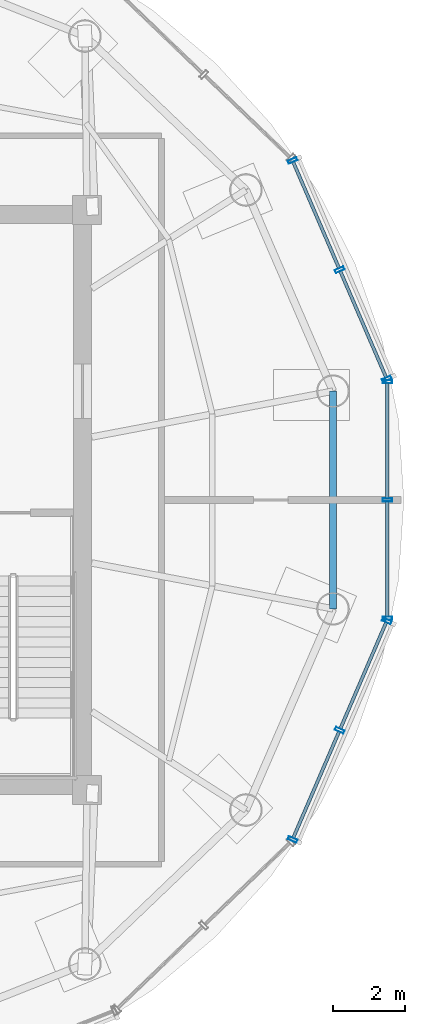
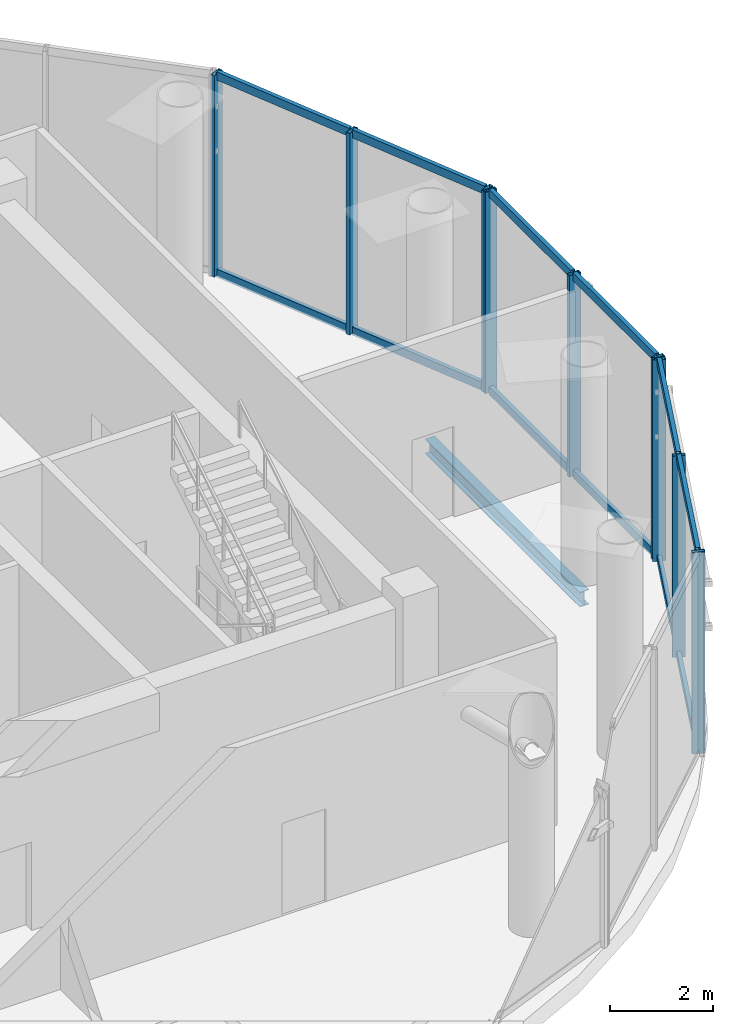
# One storey, part 9 of 15: 21 members, 1 beam, 3 elements without a shape of their own.
"""IFC4 building model written with IfcOpenShell, lengths in metres."""

from ifc_helpers import new_model, si_unit, direction, frame, origin, origin_2d, place, context, subcontext, project, spatial, hollow_rectangle, i_section, extrude, source, transform, mapped, material, material_profile, profile_set, type_object, element, aggregate, save


model = new_model("IFC4")

# Units and contexts
model_context = context("Model", 3, precision=1e-05, world=origin(), true_north=direction((-0.2419218956, 0.970295726276)))
body_context = subcontext(model_context, "Body", "Model", "MODEL_VIEW")
ifc_project = project(units=[si_unit("LENGTHUNIT", "METRE"), si_unit("AREAUNIT", "SQUARE_METRE"), si_unit("VOLUMEUNIT", "CUBIC_METRE"), si_unit("PLANEANGLEUNIT", "RADIAN"), si_unit("MASSUNIT", "GRAM", prefix="KILO")], contexts=[model_context])

# Site, building, storey
site_placement = place(None, origin())
site = spatial("IfcSite", under=ifc_project, at=site_placement, CompositionType="ELEMENT")
building_placement = place(site_placement, origin())
building = spatial("IfcBuilding", under=site, at=building_placement, Name="Cobrevalo Terracotta Tower", CompositionType="ELEMENT")
storey_placement = place(building_placement, frame((0.0, 0.0, 316.5)))
storey = spatial("IfcBuildingStorey", under=building, at=storey_placement, Name="L82", CompositionType="ELEMENT", Elevation=316.5)

# Beam
ifc_material_1 = material(Name="Steel S355", Category="steel")
ifc_material_profile_1 = material_profile(ifc_material_1, i_section(OverallWidth=0.205078125, OverallDepth=0.35400390625, WebThickness=0.009521484375, FlangeThickness=0.016845703125, at=origin_2d()), Name="W 360x79")
ifc_profile_set_1 = profile_set([ifc_material_profile_1], Name="Steel S355")
beam_type = type_object("IfcBeamType", Name="Structural Spandrel W 360x79 (Steel S355)", PredefinedType="SPANDREL", material=ifc_profile_set_1)
beam_placement = place(storey_placement, frame((53.79052734375, 23.795654296875, -0.596923828125), z_axis=(0.0, 1.0, 0.0), x_axis=(-1.0, 0.0, 0.0)))
element("IfcBeam", 1, at=beam_placement, inside=storey, type_object=beam_type, Name="L82 perimeter ring spandrel 16", PredefinedType="SPANDREL", context=body_context, shape_type="SweptSolid", body=[
    extrude(i_section(OverallWidth=0.205078125, OverallDepth=0.35400390625, WebThickness=0.009521484375, FlangeThickness=0.016845703125, at=origin_2d()), origin(), (0.0, 0.0, 1.0), 6.0087890625),
])

# Curtain wall, members
ifc_material_2 = material(Name="Anodized aluminium", Category="aluminium")
curtain_wall_type = type_object("IfcCurtainWallType", Name="Faceted glass-point crown structural glazing system CW-CR", PredefinedType="NOTDEFINED", material=ifc_material_2)
curtain_wall_1_placement = place(storey_placement, origin())
curtain_wall_1 = element("IfcCurtainWall", 2, at=curtain_wall_1_placement, inside=storey, type_object=curtain_wall_type, Name="L82 curtain wall CW-CRN-L82-S01", PredefinedType="NOTDEFINED")
ifc_material_profile_2 = material_profile(ifc_material_2, hollow_rectangle(XDim=0.090087890625, YDim=0.195068359375, WallThickness=0.005615234375, at=origin_2d()), Name="CWT 90x195")
ifc_profile_set_2 = profile_set([ifc_material_profile_2], Name="Anodized aluminium")
member_type_1 = type_object("IfcMemberType", Name="Crown structural aluminium transom 90x195", PredefinedType="USERDEFINED", material=ifc_profile_set_2)
shared_shape_1 = source(origin(), body_context, "Body", "SweptSolid", [
    extrude(hollow_rectangle(XDim=0.090087890625, YDim=0.195068359375, WallThickness=0.005615234375, at=origin_2d()), origin(), (0.0, 0.0, 1.0), 3.203369140625),
])
member_1_placement = place(storey_placement, frame((55.259521484375, 30.17626953125, 0.050048828125), z_axis=(-0.396015512265, 0.918243820587, 0.0), x_axis=(-0.918243820587, -0.396015512265, 0.0)))
member_1 = element("IfcMember", 3, at=member_1_placement, type_object=member_type_1, Name="CW-CRN-L82-S01 transom B01-T1", ObjectType="TRANSOM", PredefinedType="USERDEFINED", context=body_context, shape_type="MappedRepresentation", body=[
    mapped(shared_shape_1, transform((0.0, 0.0, 0.0), scale=1.0)),
])
member_2_placement = place(storey_placement, frame((55.259521484375, 30.17626953125, 4.72998046875), z_axis=(-0.396015512265, 0.918243820587, 0.0), x_axis=(-0.918243820587, -0.396015512265, 0.0)))
member_2 = element("IfcMember", 4, at=member_2_placement, type_object=member_type_1, Name="CW-CRN-L82-S01 transom B01-T2", ObjectType="TRANSOM", PredefinedType="USERDEFINED", context=body_context, shape_type="MappedRepresentation", body=[
    mapped(shared_shape_1, transform((0.0, 0.0, 0.0), scale=1.0)),
])
shared_shape_2 = source(origin(), body_context, "Body", "SweptSolid", [
    extrude(hollow_rectangle(XDim=0.090087890625, YDim=0.195068359375, WallThickness=0.005615234375, at=origin_2d()), origin(), (0.0, 0.0, 1.0), 3.203125),
])
member_3_placement = place(storey_placement, frame((53.959228515625, 33.191162109375, 0.050048828125), z_axis=(-0.396107491553, 0.918204146765, 0.0), x_axis=(-0.918204146765, -0.396107491553, 0.0)))
member_3 = element("IfcMember", 5, at=member_3_placement, type_object=member_type_1, Name="CW-CRN-L82-S01 transom B02-T1", ObjectType="TRANSOM", PredefinedType="USERDEFINED", context=body_context, shape_type="MappedRepresentation", body=[
    mapped(shared_shape_2, transform((0.0, 0.0, 0.0), scale=1.0)),
])
member_4_placement = place(storey_placement, frame((53.959228515625, 33.191162109375, 4.72998046875), z_axis=(-0.396107491553, 0.918204146765, 0.0), x_axis=(-0.918204146765, -0.396107491553, 0.0)))
member_4 = element("IfcMember", 6, at=member_4_placement, type_object=member_type_1, Name="CW-CRN-L82-S01 transom B02-T2", ObjectType="TRANSOM", PredefinedType="USERDEFINED", context=body_context, shape_type="MappedRepresentation", body=[
    mapped(shared_shape_2, transform((0.0, 0.0, 0.0), scale=1.0)),
])

curtain_wall_2_placement = place(storey_placement, origin())
curtain_wall_2 = element("IfcCurtainWall", 7, at=curtain_wall_2_placement, inside=storey, type_object=curtain_wall_type, Name="L82 curtain wall CW-CRN-L82-S15", PredefinedType="NOTDEFINED")
member_5_placement = place(storey_placement, frame((52.6904296875, 17.4677734375, 0.050048828125), z_axis=(0.396107491553, 0.918204146765, 0.0), x_axis=(-0.918204146765, 0.396107491553, 0.0)))
member_5 = element("IfcMember", 8, at=member_5_placement, type_object=member_type_1, Name="CW-CRN-L82-S15 transom B01-T1", ObjectType="TRANSOM", PredefinedType="USERDEFINED", context=body_context, shape_type="MappedRepresentation", body=[
    mapped(shared_shape_2, transform((0.0, 0.0, 0.0), scale=1.0)),
])
member_6_placement = place(storey_placement, frame((52.6904296875, 17.4677734375, 4.72998046875), z_axis=(0.396107491553, 0.918204146765, 0.0), x_axis=(-0.918204146765, 0.396107491553, 0.0)))
member_6 = element("IfcMember", 9, at=member_6_placement, type_object=member_type_1, Name="CW-CRN-L82-S15 transom B01-T2", ObjectType="TRANSOM", PredefinedType="USERDEFINED", context=body_context, shape_type="MappedRepresentation", body=[
    mapped(shared_shape_2, transform((0.0, 0.0, 0.0), scale=1.0)),
])
member_7_placement = place(storey_placement, frame((53.990966796875, 20.482421875, 0.050048828125), z_axis=(0.396043228921, 0.918231866592, 0.0), x_axis=(-0.918231866592, 0.396043228921, 0.0)))
member_7 = element("IfcMember", 10, at=member_7_placement, type_object=member_type_1, Name="CW-CRN-L82-S15 transom B02-T1", ObjectType="TRANSOM", PredefinedType="USERDEFINED", context=body_context, shape_type="MappedRepresentation", body=[
    mapped(shared_shape_2, transform((0.0, 0.0, 0.0), scale=1.0)),
])
member_8_placement = place(storey_placement, frame((53.990966796875, 20.482421875, 4.72998046875), z_axis=(0.396043228921, 0.918231866592, 0.0), x_axis=(-0.918231866592, 0.396043228921, 0.0)))
member_8 = element("IfcMember", 11, at=member_8_placement, type_object=member_type_1, Name="CW-CRN-L82-S15 transom B02-T2", ObjectType="TRANSOM", PredefinedType="USERDEFINED", context=body_context, shape_type="MappedRepresentation", body=[
    mapped(shared_shape_2, transform((0.0, 0.0, 0.0), scale=1.0)),
])

curtain_wall_3_placement = place(storey_placement, origin())
curtain_wall_3 = element("IfcCurtainWall", 12, at=curtain_wall_3_placement, inside=storey, type_object=curtain_wall_type, Name="L82 curtain wall CW-CRN-L82-S16", PredefinedType="NOTDEFINED")
shared_shape_3 = source(origin(), body_context, "Body", "SweptSolid", [
    extrude(hollow_rectangle(XDim=0.090087890625, YDim=0.195068359375, WallThickness=0.005615234375, at=origin_2d()), origin(), (0.0, 0.0, 1.0), 3.182861328125),
])
member_9_placement = place(storey_placement, frame((55.291259765625, 23.5771484375, 0.050048828125), z_axis=(0.0, 1.0, 0.0), x_axis=(-1.0, 0.0, 0.0)))
member_9 = element("IfcMember", 13, at=member_9_placement, type_object=member_type_1, Name="CW-CRN-L82-S16 transom B01-T1", ObjectType="TRANSOM", PredefinedType="USERDEFINED", context=body_context, shape_type="MappedRepresentation", body=[
    mapped(shared_shape_3, transform((0.0, 0.0, 0.0), scale=1.0)),
])
member_10_placement = place(storey_placement, frame((55.291259765625, 23.5771484375, 4.72998046875), z_axis=(0.0, 1.0, 0.0), x_axis=(-1.0, 0.0, 0.0)))
member_10 = element("IfcMember", 14, at=member_10_placement, type_object=member_type_1, Name="CW-CRN-L82-S16 transom B01-T2", ObjectType="TRANSOM", PredefinedType="USERDEFINED", context=body_context, shape_type="MappedRepresentation", body=[
    mapped(shared_shape_3, transform((0.0, 0.0, 0.0), scale=1.0)),
])
member_11_placement = place(storey_placement, frame((55.291259765625, 26.840087890625, 0.050048828125), z_axis=(0.0, 1.0, 0.0), x_axis=(-1.0, 0.0, 0.0)))
member_11 = element("IfcMember", 15, at=member_11_placement, type_object=member_type_1, Name="CW-CRN-L82-S16 transom B02-T1", ObjectType="TRANSOM", PredefinedType="USERDEFINED", context=body_context, shape_type="MappedRepresentation", body=[
    mapped(shared_shape_3, transform((0.0, 0.0, 0.0), scale=1.0)),
])
member_12_placement = place(storey_placement, frame((55.291259765625, 26.840087890625, 4.72998046875), z_axis=(0.0, 1.0, 0.0), x_axis=(-1.0, 0.0, 0.0)))
member_12 = element("IfcMember", 16, at=member_12_placement, type_object=member_type_1, Name="CW-CRN-L82-S16 transom B02-T2", ObjectType="TRANSOM", PredefinedType="USERDEFINED", context=body_context, shape_type="MappedRepresentation", body=[
    mapped(shared_shape_3, transform((0.0, 0.0, 0.0), scale=1.0)),
])

# Member
ifc_material_profile_3 = material_profile(ifc_material_2, hollow_rectangle(XDim=0.090087890625, YDim=0.260009765625, WallThickness=0.006103515625, at=origin_2d()), Name="CWM 90x260")
ifc_profile_set_3 = profile_set([ifc_material_profile_3], Name="Anodized aluminium")
member_type_2 = type_object("IfcMemberType", Name="Crown structural glass mullion 90x260", PredefinedType="MULLION", material=ifc_profile_set_3)
shared_shape_4 = source(origin(), body_context, "Body", "SweptSolid", [
    extrude(hollow_rectangle(XDim=0.090087890625, YDim=0.260009765625, WallThickness=0.006103515625, at=origin_2d()), origin(), (0.0, 0.0, 1.0), 4.780029296875),
])
member_13_placement = place(storey_placement, frame((55.275390625, 30.1396484375, 0.0), z_axis=(0.0, 0.0, 1.0), x_axis=(-0.396058398073, 0.918225323826, 0.0)))
member_13 = element("IfcMember", 17, at=member_13_placement, type_object=member_type_2, Name="CW-CRN-L82-S01 vertical mullion 01", PredefinedType="MULLION", context=body_context, shape_type="MappedRepresentation", body=[
    mapped(shared_shape_4, transform((0.0, 0.0, 0.0), scale=1.0)),
])

member_14_placement = place(storey_placement, frame((53.97509765625, 33.154296875, 0.0), z_axis=(0.0, 0.0, 1.0), x_axis=(-0.396058398073, 0.918225323826, 0.0)))
member_14 = element("IfcMember", 18, at=member_14_placement, type_object=member_type_2, Name="CW-CRN-L82-S01 vertical mullion 02", PredefinedType="MULLION", context=body_context, shape_type="MappedRepresentation", body=[
    mapped(shared_shape_4, transform((0.0, 0.0, 0.0), scale=1.0)),
])

member_15_placement = place(storey_placement, frame((52.674560546875, 36.169189453125, 0.0), z_axis=(0.0, 0.0, 1.0), x_axis=(-0.396058398073, 0.918225323826, 0.0)))
member_15 = element("IfcMember", 19, at=member_15_placement, type_object=member_type_2, Name="CW-CRN-L82-S01 vertical mullion 03", PredefinedType="MULLION", context=body_context, shape_type="MappedRepresentation", body=[
    mapped(shared_shape_4, transform((0.0, 0.0, 0.0), scale=1.0)),
])

aggregate(curtain_wall_1, [member_13, member_14, member_15, member_1, member_2, member_3, member_4])

member_16_placement = place(storey_placement, frame((52.674560546875, 17.430908203125, 0.0), z_axis=(0.0, 0.0, 1.0), x_axis=(0.396058398073, 0.918225323826, 0.0)))
member_16 = element("IfcMember", 20, at=member_16_placement, type_object=member_type_2, Name="CW-CRN-L82-S15 vertical mullion 01", PredefinedType="MULLION", context=body_context, shape_type="MappedRepresentation", body=[
    mapped(shared_shape_4, transform((0.0, 0.0, 0.0), scale=1.0)),
])

member_17_placement = place(storey_placement, frame((53.97509765625, 20.445556640625, 0.0), z_axis=(0.0, 0.0, 1.0), x_axis=(0.396058398073, 0.918225323826, 0.0)))
member_17 = element("IfcMember", 21, at=member_17_placement, type_object=member_type_2, Name="CW-CRN-L82-S15 vertical mullion 02", PredefinedType="MULLION", context=body_context, shape_type="MappedRepresentation", body=[
    mapped(shared_shape_4, transform((0.0, 0.0, 0.0), scale=1.0)),
])

member_18_placement = place(storey_placement, frame((55.275390625, 23.46044921875, 0.0), z_axis=(0.0, 0.0, 1.0), x_axis=(0.396058398073, 0.918225323826, 0.0)))
member_18 = element("IfcMember", 22, at=member_18_placement, type_object=member_type_2, Name="CW-CRN-L82-S15 vertical mullion 03", PredefinedType="MULLION", context=body_context, shape_type="MappedRepresentation", body=[
    mapped(shared_shape_4, transform((0.0, 0.0, 0.0), scale=1.0)),
])

aggregate(curtain_wall_2, [member_16, member_17, member_18, member_5, member_6, member_7, member_8])

member_19_placement = place(storey_placement, frame((55.291259765625, 23.537109375, 0.0), z_axis=(0.0, 0.0, 1.0), x_axis=(0.0, 1.0, 0.0)))
member_19 = element("IfcMember", 23, at=member_19_placement, type_object=member_type_2, Name="CW-CRN-L82-S16 vertical mullion 01", PredefinedType="MULLION", context=body_context, shape_type="MappedRepresentation", body=[
    mapped(shared_shape_4, transform((0.0, 0.0, 0.0), scale=1.0)),
])

member_20_placement = place(storey_placement, frame((55.291259765625, 26.800048828125, 0.0), z_axis=(0.0, 0.0, 1.0), x_axis=(0.0, 1.0, 0.0)))
member_20 = element("IfcMember", 24, at=member_20_placement, type_object=member_type_2, Name="CW-CRN-L82-S16 vertical mullion 02", PredefinedType="MULLION", context=body_context, shape_type="MappedRepresentation", body=[
    mapped(shared_shape_4, transform((0.0, 0.0, 0.0), scale=1.0)),
])

member_21_placement = place(storey_placement, frame((55.291259765625, 30.06298828125, 0.0), z_axis=(0.0, 0.0, 1.0), x_axis=(0.0, 1.0, 0.0)))
member_21 = element("IfcMember", 25, at=member_21_placement, type_object=member_type_2, Name="CW-CRN-L82-S16 vertical mullion 03", PredefinedType="MULLION", context=body_context, shape_type="MappedRepresentation", body=[
    mapped(shared_shape_4, transform((0.0, 0.0, 0.0), scale=1.0)),
])

aggregate(curtain_wall_3, [member_19, member_20, member_21, member_9, member_10, member_11, member_12])

save(model, "model.ifc")
